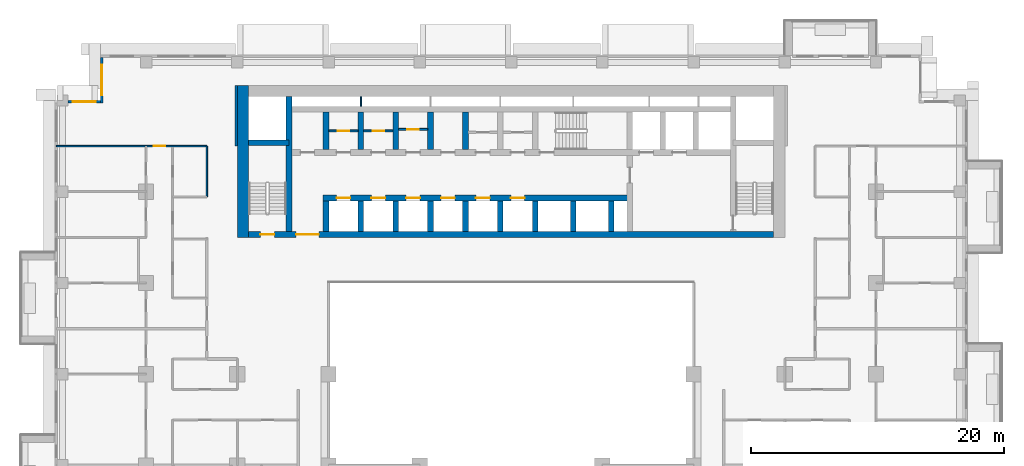
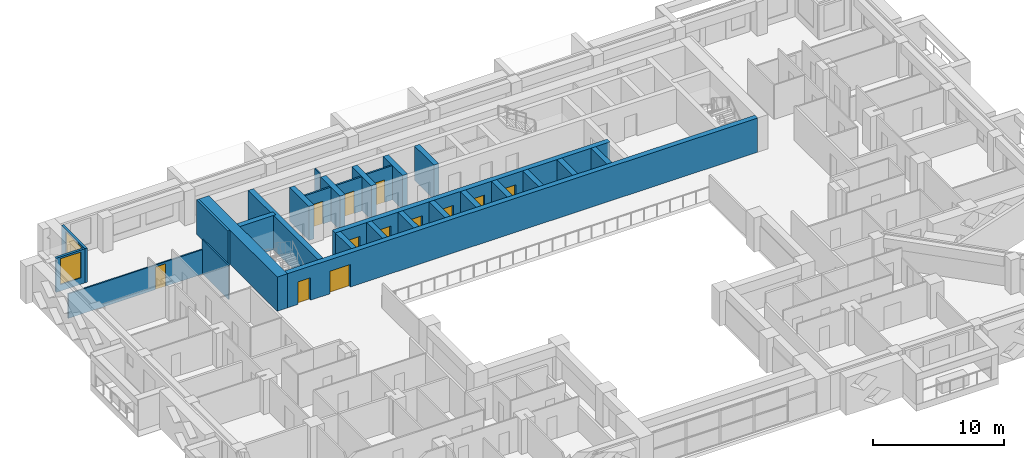
# One storey, part 10 of 17: 28 walls, 12 doors, 2 windows, 14 openings.
"""IFC4 building model written with IfcOpenShell, lengths in metres."""

from ifc_helpers import new_model, si_unit, direction, frame, frame_2d, origin, place, context, subcontext, project, spatial, rectangle, extrude, material, layer, layer_set, type_object, element, fill, save


model = new_model("IFC4")

# Units and contexts
model_context = context("Model", 3, precision=1e-05, world=origin(), true_north=direction((0.0, 1.0)))
body_context = subcontext(model_context, "Body", "Model", "MODEL_VIEW")
ifc_project = project(units=[si_unit("LENGTHUNIT", "METRE"), si_unit("AREAUNIT", "SQUARE_METRE"), si_unit("VOLUMEUNIT", "CUBIC_METRE"), si_unit("PLANEANGLEUNIT", "RADIAN"), si_unit("MASSUNIT", "GRAM", prefix="KILO")], contexts=[model_context])

# Site, building, storey
site_placement = place(None, origin())
site = spatial("IfcSite", under=ifc_project, at=site_placement, CompositionType="ELEMENT")
building_placement = place(site_placement, origin())
building = spatial("IfcBuilding", under=site, at=building_placement, Name="Saffron Iwan Residences", CompositionType="ELEMENT")
storey_placement = place(building_placement, frame((0.0, 0.0, 93.5)))
storey = spatial("IfcBuildingStorey", under=building, at=storey_placement, Name="L24", CompositionType="ELEMENT", Elevation=93.5)

# Wall, opening, door
ifc_material_1 = material(Name="Fire-rated plasterboard partition")
ifc_layer_1 = layer(ifc_material_1, 0.14990234375)
ifc_layer_set_1 = layer_set([ifc_layer_1], Name="Fire-rated plasterboard partition")
wall_type_1 = type_object("IfcWallType", Name="Core partition 150", PredefinedType="PARTITIONING", material=ifc_layer_set_1)
wall_1_placement = place(storey_placement, frame((36.02490234375, 74.39990234375, 0.0), z_axis=(0.0, 0.0, 1.0), x_axis=(1.0, 0.0, 0.0)))
wall_1 = element("IfcWall", 1, at=wall_1_placement, inside=storey, type_object=wall_type_1, Name="Core partition P01", PredefinedType="PARTITIONING", context=body_context, shape_type="SweptSolid", body=[
    extrude(rectangle(XDim=2.300048828125, YDim=0.14990234375, at=frame_2d((1.14990234375, 0.0))), origin(), (0.0, 0.0, 1.0), 3.179931640625),
])
opening_1_placement = place(wall_1_placement, frame((0.699951171875, 0.0, 0.0)))
opening_1 = element("IfcOpeningElement", 2, at=opening_1_placement, cuts=wall_1, Name="Opening SB", PredefinedType="OPENING", context=body_context, shape_type="SweptSolid", body=[
    extrude(rectangle(XDim=0.89990234375, YDim=2.10009765625, at=frame_2d((0.449951171875, 1.050048828125))), frame((0.0, 0.0849609375, 0.0), z_axis=(0.0, -1.0, 0.0), x_axis=(1.0, 0.0, 0.0)), (0.0, 0.0, 1.0), 0.169921875),
])
ifc_material_2 = material(Name="Steel fire door", Category="steel")
door_type_1 = type_object("IfcDoorType", Name="Store door 900", OperationType="NOTDEFINED", PredefinedType="DOOR", material=ifc_material_2)
door_1_placement = place(opening_1_placement, origin())
door_1 = element("IfcDoor", 3, at=door_1_placement, inside=storey, type_object=door_type_1, Name="Door Spares store", OperationType="SINGLE_SWING_LEFT", OverallHeight=2.10009765625, OverallWidth=0.89990234375, PredefinedType="DOOR", context=body_context, shape_type="SweptSolid", body=[
    extrude(rectangle(XDim=0.89990234375, YDim=2.10009765625, at=frame_2d((0.449951171875, 1.050048828125))), frame((0.0, 0.02490234375, 0.0), z_axis=(0.0, -1.0, 0.0), x_axis=(1.0, 0.0, 0.0)), (0.0, 0.0, 1.0), 0.050048828125),
])
fill(opening_1, door_1)

wall_2_placement = place(storey_placement, frame((38.77490234375, 74.39990234375, 0.0), z_axis=(0.0, 0.0, 1.0), x_axis=(1.0, 0.0, 0.0)))
wall_2 = element("IfcWall", 4, at=wall_2_placement, inside=storey, type_object=wall_type_1, Name="Core partition P02", PredefinedType="PARTITIONING", context=body_context, shape_type="SweptSolid", body=[
    extrude(rectangle(XDim=2.300048828125, YDim=0.14990234375, at=frame_2d((1.14990234375, 0.0))), origin(), (0.0, 0.0, 1.0), 3.179931640625),
])
opening_2_placement = place(wall_2_placement, frame((0.699951171875, 0.0, 0.0)))
opening_2 = element("IfcOpeningElement", 5, at=opening_2_placement, cuts=wall_2, Name="Opening SB", PredefinedType="OPENING", context=body_context, shape_type="SweptSolid", body=[
    extrude(rectangle(XDim=0.89990234375, YDim=2.10009765625, at=frame_2d((0.449951171875, 1.050048828125))), frame((0.0, 0.0849609375, 0.0), z_axis=(0.0, -1.0, 0.0), x_axis=(1.0, 0.0, 0.0)), (0.0, 0.0, 1.0), 0.169921875),
])
door_2_placement = place(opening_2_placement, origin())
door_2 = element("IfcDoor", 6, at=door_2_placement, inside=storey, type_object=door_type_1, Name="Door Battery room", OperationType="SINGLE_SWING_RIGHT", OverallHeight=2.10009765625, OverallWidth=0.89990234375, PredefinedType="DOOR", context=body_context, shape_type="SweptSolid", body=[
    extrude(rectangle(XDim=0.89990234375, YDim=2.10009765625, at=frame_2d((0.449951171875, 1.050048828125))), frame((0.0, 0.02490234375, 0.0), z_axis=(0.0, -1.0, 0.0), x_axis=(1.0, 0.0, 0.0)), (0.0, 0.0, 1.0), 0.050048828125),
])
fill(opening_2, door_2)

wall_3_placement = place(storey_placement, frame((41.52490234375, 74.51806640625, 0.0), z_axis=(0.0, 0.0, 1.0), x_axis=(1.0, 0.0, 0.0)))
wall_3 = element("IfcWall", 7, at=wall_3_placement, inside=storey, type_object=wall_type_1, Name="Core partition P03", PredefinedType="PARTITIONING", context=body_context, shape_type="SweptSolid", body=[
    extrude(rectangle(XDim=2.300048828125, YDim=0.14990234375, at=frame_2d((1.14990234375, 0.0))), origin(), (0.0, 0.0, 1.0), 3.179931640625),
])
opening_3_placement = place(wall_3_placement, frame((0.699951171875, 0.0, 0.0)))
opening_3 = element("IfcOpeningElement", 8, at=opening_3_placement, cuts=wall_3, Name="Opening SB", PredefinedType="OPENING", context=body_context, shape_type="SweptSolid", body=[
    extrude(rectangle(XDim=0.89990234375, YDim=2.10009765625, at=frame_2d((0.449951171875, 1.050048828125))), frame((0.0, 0.0849609375, 0.0), z_axis=(0.0, -1.0, 0.0), x_axis=(1.0, 0.0, 0.0)), (0.0, 0.0, 1.0), 0.169921875),
])
door_3_placement = place(opening_3_placement, origin())
door_3 = element("IfcDoor", 9, at=door_3_placement, inside=storey, type_object=door_type_1, Name="Door Records store", OperationType="SINGLE_SWING_RIGHT", OverallHeight=2.10009765625, OverallWidth=0.89990234375, PredefinedType="DOOR", context=body_context, shape_type="SweptSolid", body=[
    extrude(rectangle(XDim=0.89990234375, YDim=2.10009765625, at=frame_2d((0.449951171875, 1.050048828125))), frame((0.0, 0.02490234375, 0.0), z_axis=(0.0, -1.0, 0.0), x_axis=(1.0, 0.0, 0.0)), (0.0, 0.0, 1.0), 0.050048828125),
])
fill(opening_3, door_3)

# Wall, opening, window
ifc_material_3 = material(Name="Concrete C40/50", Category="concrete")
ifc_layer_2 = layer(ifc_material_3, 0.199951171875)
ifc_layer_set_2 = layer_set([ifc_layer_2], Name="Concrete C40/50")
wall_type_2 = type_object("IfcWallType", Name="EXTERNAL WALL 200", PredefinedType="SOLIDWALL", material=ifc_layer_set_2)
wall_4_placement = place(storey_placement, frame((18.10009765625, 80.199951171875, 0.0), z_axis=(0.0, 0.0, 1.0), x_axis=(0.0, -1.0, 0.0)))
wall_4 = element("IfcWall", 10, at=wall_4_placement, inside=storey, type_object=wall_type_2, Name="External wall L24 F6.0", PredefinedType="SOLIDWALL", context=body_context, shape_type="SweptSolid", body=[
    extrude(rectangle(XDim=3.599853515625, YDim=0.199951171875, at=frame_2d((1.7998046875, 0.0))), origin(), (0.0, 0.0, 1.0), 3.179931640625),
])
opening_4_placement = place(wall_4_placement, frame((0.60009765625, 0.0, 0.60009765625)))
opening_4 = element("IfcOpeningElement", 11, at=opening_4_placement, cuts=wall_4, Name="Opening W1", PredefinedType="OPENING", context=body_context, shape_type="SweptSolid", body=[
    extrude(rectangle(XDim=2.39990234375, YDim=2.39990234375, at=frame_2d((1.199951171875, 1.199951171875))), frame((0.0, 0.10986328125, 0.0), z_axis=(0.0, -1.0, 0.0), x_axis=(1.0, 0.0, 0.0)), (0.0, 0.0, 1.0), 0.219970703125),
])
ifc_material_4 = material(Name="Clear glass, laminated double glazed", Category="glass")
window_type_1 = type_object("IfcWindowType", Name="WINDOW 2400 x 2400", PartitioningType="DOUBLE_PANEL_VERTICAL", PredefinedType="WINDOW", material=ifc_material_4)
window_1_placement = place(opening_4_placement, origin())
window_1 = element("IfcWindow", 12, at=window_1_placement, inside=storey, type_object=window_type_1, Name="Window L24 F6.0", OverallHeight=2.39990234375, OverallWidth=2.39990234375, PartitioningType="DOUBLE_PANEL_VERTICAL", PredefinedType="WINDOW", context=body_context, shape_type="SweptSolid", body=[
    extrude(rectangle(XDim=2.39990234375, YDim=2.39990234375, at=frame_2d((1.199951171875, 1.199951171875))), frame((0.0, 0.030029296875, 0.0), z_axis=(0.0, -1.0, 0.0), x_axis=(1.0, 0.0, 0.0)), (0.0, 0.0, 1.0), 0.06005859375),
])
fill(opening_4, window_1)

wall_5_placement = place(storey_placement, frame((18.0, 76.699951171875, 0.0), z_axis=(0.0, 0.0, 1.0), x_axis=(-1.0, 0.0, 0.0)))
wall_5 = element("IfcWall", 13, at=wall_5_placement, inside=storey, type_object=wall_type_2, Name="External wall L24 F7.0", PredefinedType="SOLIDWALL", context=body_context, shape_type="SweptSolid", body=[
    extrude(rectangle(XDim=2.550048828125, YDim=0.199951171875, at=frame_2d((1.27490234375, 0.0))), origin(), (0.0, 0.0, 1.0), 3.179931640625),
])
opening_5_placement = place(wall_5_placement, frame((0.375, 0.0, 0.60009765625)))
opening_5 = element("IfcOpeningElement", 14, at=opening_5_placement, cuts=wall_5, Name="Opening W8", PredefinedType="OPENING", context=body_context, shape_type="SweptSolid", body=[
    extrude(rectangle(XDim=1.800048828125, YDim=2.39990234375, at=frame_2d((0.89990234375, 1.199951171875))), frame((0.0, 0.10986328125, 0.0), z_axis=(0.0, -1.0, 0.0), x_axis=(1.0, 0.0, 0.0)), (0.0, 0.0, 1.0), 0.219970703125),
])
window_type_2 = type_object("IfcWindowType", Name="WINDOW 1800 x 2400", PartitioningType="DOUBLE_PANEL_VERTICAL", PredefinedType="WINDOW", material=ifc_material_4)
window_2_placement = place(opening_5_placement, origin())
window_2 = element("IfcWindow", 15, at=window_2_placement, inside=storey, type_object=window_type_2, Name="Window L24 F7.0", OverallHeight=2.39990234375, OverallWidth=1.800048828125, PartitioningType="DOUBLE_PANEL_VERTICAL", PredefinedType="WINDOW", context=body_context, shape_type="SweptSolid", body=[
    extrude(rectangle(XDim=1.800048828125, YDim=2.39990234375, at=frame_2d((0.89990234375, 1.199951171875))), frame((0.0, 0.030029296875, 0.0), z_axis=(0.0, -1.0, 0.0), x_axis=(1.0, 0.0, 0.0)), (0.0, 0.0, 1.0), 0.06005859375),
])
fill(opening_5, window_2)

# Wall, opening, door
ifc_material_5 = material(Name="Gypsum board partition")
ifc_layer_3 = layer(ifc_material_5, 0.1201171875)
ifc_layer_set_3 = layer_set([ifc_layer_3], Name="Gypsum board partition")
wall_type_3 = type_object("IfcWallType", Name="Flat partition 120", PredefinedType="PARTITIONING", material=ifc_layer_set_3)
wall_6_placement = place(storey_placement, frame((14.52490234375, 73.199951171875, 0.0), z_axis=(0.0, 0.0, 1.0), x_axis=(1.0, 0.0, 0.0)))
wall_6 = element("IfcWall", 16, at=wall_6_placement, inside=storey, type_object=wall_type_3, Name="W-L24-PART-h73.2-14.525", PredefinedType="PARTITIONING", context=body_context, shape_type="SweptSolid", body=[
    extrude(rectangle(XDim=11.875, YDim=0.1201171875, at=frame_2d((5.9375, 0.0))), origin(), (0.0, 0.0, 1.0), 2.280029296875),
])
opening_6_placement = place(wall_6_placement, frame((7.675048828125, 0.0, 0.0)))
opening_6 = element("IfcOpeningElement", 17, at=opening_6_placement, cuts=wall_6, Name="Opening FD2", PredefinedType="OPENING", context=body_context, shape_type="SweptSolid", body=[
    extrude(rectangle(XDim=0.89990234375, YDim=2.10009765625, at=frame_2d((0.449951171875, 1.050048828125))), frame((0.0, 0.070068359375, 0.0), z_axis=(0.0, -1.0, 0.0), x_axis=(1.0, 0.0, 0.0)), (0.0, 0.0, 1.0), 0.14013671875),
])
ifc_material_6 = material(Name="Timber door", Category="wood")
door_type_2 = type_object("IfcDoorType", Name="Flat door 900", OperationType="NOTDEFINED", PredefinedType="DOOR", material=ifc_material_6)
door_4_placement = place(opening_6_placement, origin())
door_4 = element("IfcDoor", 18, at=door_4_placement, inside=storey, type_object=door_type_2, Name="Door L24-031", OperationType="SINGLE_SWING_RIGHT", OverallHeight=2.10009765625, OverallWidth=0.89990234375, PredefinedType="DOOR", context=body_context, shape_type="SweptSolid", body=[
    extrude(rectangle(XDim=0.89990234375, YDim=2.10009765625, at=frame_2d((0.449951171875, 1.050048828125))), frame((0.0, 0.02490234375, 0.0), z_axis=(0.0, -1.0, 0.0), x_axis=(1.0, 0.0, 0.0)), (0.0, 0.0, 1.0), 0.050048828125),
])
fill(opening_6, door_4)

# Walls
wall_7_placement = place(storey_placement, frame((26.39990234375, 69.199951171875, 0.0), z_axis=(0.0, 0.0, 1.0), x_axis=(0.0, 1.0, 0.0)))
element("IfcWall", 19, at=wall_7_placement, inside=storey, type_object=wall_type_3, Name="W-L24-PART-v26.4-69.2", PredefinedType="PARTITIONING", context=body_context, shape_type="SweptSolid", body=[
    extrude(rectangle(XDim=4.0, YDim=0.1201171875, at=frame_2d((2.0, 0.0))), origin(), (0.0, 0.0, 1.0), 3.179931640625),
])
ifc_material_7 = material(Name="Fire-rated gypsum board wall")
ifc_layer_4 = layer(ifc_material_7, 0.199951171875)
ifc_layer_set_4 = layer_set([ifc_layer_4], Name="Fire-rated gypsum board wall")
wall_type_4 = type_object("IfcWallType", Name="Gallery wall 200", PredefinedType="SOLIDWALL", material=ifc_layer_set_4)
wall_8_placement = place(storey_placement, frame((28.699951171875, 73.199951171875, 0.0), z_axis=(0.0, 0.0, 1.0), x_axis=(0.0, 1.0, 0.0)))
element("IfcWall", 20, at=wall_8_placement, inside=storey, type_object=wall_type_4, Name="W-L24-CORR-v28.8-73.2", PredefinedType="SOLIDWALL", context=body_context, shape_type="SweptSolid", body=[
    extrude(rectangle(XDim=4.800048828125, YDim=0.199951171875, at=frame_2d((2.39990234375, 0.0))), origin(), (0.0, 0.0, 1.0), 3.179931640625),
])
ifc_layer_5 = layer(ifc_material_1, 0.10009765625)
ifc_layer_set_5 = layer_set([ifc_layer_5], Name="Fire-rated plasterboard partition")
wall_type_5 = type_object("IfcWallType", Name="Riser partition 100", PredefinedType="PARTITIONING", material=ifc_layer_set_5)
wall_9_placement = place(storey_placement, frame((38.550048828125, 76.324951171875, 0.0), z_axis=(0.0, 0.0, 1.0), x_axis=(0.0, 1.0, 0.0)))
element("IfcWall", 21, at=wall_9_placement, inside=storey, type_object=wall_type_5, Name="Core partition P06", PredefinedType="PARTITIONING", context=body_context, shape_type="SweptSolid", body=[
    extrude(rectangle(XDim=0.775146484375, YDim=0.10009765625, at=frame_2d((0.3876953125, 0.0))), origin(), (0.0, 0.0, 1.0), 3.179931640625),
])

# Wall, openings, doors
ifc_material_8 = material(Name="Concrete C60/75", Category="concrete")
ifc_layer_6 = layer(ifc_material_8, 0.449951171875)
ifc_layer_set_6 = layer_set([ifc_layer_6], Name="Concrete C60/75")
wall_type_6 = type_object("IfcWallType", Name="WALL CORE 450 C60/75 3180 HIGH", PredefinedType="SHEAR", material=ifc_layer_set_6)
wall_10_placement = place(storey_placement, frame((29.699951171875, 66.22509765625, 0.0), z_axis=(0.0, 0.0, 1.0), x_axis=(1.0, 0.0, 0.0)))
wall_10 = element("IfcWall", 22, at=wall_10_placement, inside=storey, type_object=wall_type_6, Name="Core wall", PredefinedType="SHEAR", context=body_context, shape_type="SweptSolid", body=[
    extrude(rectangle(XDim=41.400146484375, YDim=0.449951171875, at=frame_2d((20.7001953125, 0.0))), origin(), (0.0, 0.0, 1.0), 3.179931640625),
])
opening_7_placement = place(wall_10_placement, frame((0.925048828125, 0.0, 0.0)))
opening_7 = element("IfcOpeningElement", 23, at=opening_7_placement, cuts=wall_10, Name="Opening SD", PredefinedType="OPENING", context=body_context, shape_type="SweptSolid", body=[
    extrude(rectangle(XDim=1.10009765625, YDim=2.10009765625, at=frame_2d((0.550048828125, 1.050048828125))), frame((0.0, 0.23486328125, 0.0), z_axis=(0.0, -1.0, 0.0), x_axis=(1.0, 0.0, 0.0)), (0.0, 0.0, 1.0), 0.469970703125),
])
opening_8_placement = place(wall_10_placement, frame((3.737548828125, 0.0, 0.0)))
opening_8 = element("IfcOpeningElement", 24, at=opening_8_placement, cuts=wall_10, Name="Opening DD", PredefinedType="OPENING", context=body_context, shape_type="SweptSolid", body=[
    extrude(rectangle(XDim=1.800048828125, YDim=2.10009765625, at=frame_2d((0.89990234375, 1.050048828125))), frame((0.0, 0.23486328125, 0.0), z_axis=(0.0, -1.0, 0.0), x_axis=(1.0, 0.0, 0.0)), (0.0, 0.0, 1.0), 0.469970703125),
])
door_type_3 = type_object("IfcDoorType", Name="Lobby double door 1800", OperationType="DOUBLE_DOOR_SINGLE_SWING", PredefinedType="DOOR", material=ifc_material_2)
door_5_placement = place(opening_8_placement, origin())
door_5 = element("IfcDoor", 25, at=door_5_placement, inside=storey, type_object=door_type_3, Name="Lobby doors", OperationType="DOUBLE_DOOR_SINGLE_SWING", OverallHeight=2.10009765625, OverallWidth=1.800048828125, PredefinedType="DOOR", context=body_context, shape_type="SweptSolid", body=[
    extrude(rectangle(XDim=1.800048828125, YDim=2.10009765625, at=frame_2d((0.89990234375, 1.050048828125))), frame((0.0, 0.02490234375, 0.0), z_axis=(0.0, -1.0, 0.0), x_axis=(1.0, 0.0, 0.0)), (0.0, 0.0, 1.0), 0.050048828125),
])
fill(opening_8, door_5)
door_type_4 = type_object("IfcDoorType", Name="Stair door 1100", OperationType="NOTDEFINED", PredefinedType="DOOR", material=ifc_material_2)
door_6_placement = place(opening_7_placement, origin())
door_6 = element("IfcDoor", 26, at=door_6_placement, inside=storey, type_object=door_type_4, Name="Stair door ST-W", OperationType="SINGLE_SWING_LEFT", OverallHeight=2.10009765625, OverallWidth=1.10009765625, PredefinedType="DOOR", context=body_context, shape_type="SweptSolid", body=[
    extrude(rectangle(XDim=1.10009765625, YDim=2.10009765625, at=frame_2d((0.550048828125, 1.050048828125))), frame((0.0, 0.02490234375, 0.0), z_axis=(0.0, -1.0, 0.0), x_axis=(1.0, 0.0, 0.0)), (0.0, 0.0, 1.0), 0.050048828125),
])
fill(opening_7, door_6)

wall_11_placement = place(storey_placement, frame((35.574951171875, 69.10009765625, 0.0), z_axis=(0.0, 0.0, 1.0), x_axis=(1.0, 0.0, 0.0)))
wall_11 = element("IfcWall", 27, at=wall_11_placement, inside=storey, type_object=wall_type_6, Name="Core wall", PredefinedType="SHEAR", context=body_context, shape_type="SweptSolid", body=[
    extrude(rectangle(XDim=24.199951171875, YDim=0.449951171875, at=frame_2d((12.10009765625, 0.0))), origin(), (0.0, 0.0, 1.0), 3.179931640625),
])
opening_9_placement = place(wall_11_placement, frame((1.050048828125, 0.0, 0.0)))
opening_9 = element("IfcOpeningElement", 28, at=opening_9_placement, cuts=wall_11, Name="Opening LD", PredefinedType="OPENING", context=body_context, shape_type="SweptSolid", body=[
    extrude(rectangle(XDim=1.10009765625, YDim=2.10009765625, at=frame_2d((0.550048828125, 1.050048828125))), frame((0.0, 0.23486328125, 0.0), z_axis=(0.0, -1.0, 0.0), x_axis=(1.0, 0.0, 0.0)), (0.0, 0.0, 1.0), 0.469970703125),
])
opening_10_placement = place(wall_11_placement, frame((3.800048828125, 0.0, 0.0)))
opening_10 = element("IfcOpeningElement", 29, at=opening_10_placement, cuts=wall_11, Name="Opening LD", PredefinedType="OPENING", context=body_context, shape_type="SweptSolid", body=[
    extrude(rectangle(XDim=1.10009765625, YDim=2.10009765625, at=frame_2d((0.550048828125, 1.050048828125))), frame((0.0, 0.23486328125, 0.0), z_axis=(0.0, -1.0, 0.0), x_axis=(1.0, 0.0, 0.0)), (0.0, 0.0, 1.0), 0.469970703125),
])
opening_11_placement = place(wall_11_placement, frame((6.550048828125, 0.0, 0.0)))
opening_11 = element("IfcOpeningElement", 30, at=opening_11_placement, cuts=wall_11, Name="Opening LD", PredefinedType="OPENING", context=body_context, shape_type="SweptSolid", body=[
    extrude(rectangle(XDim=1.10009765625, YDim=2.10009765625, at=frame_2d((0.550048828125, 1.050048828125))), frame((0.0, 0.23486328125, 0.0), z_axis=(0.0, -1.0, 0.0), x_axis=(1.0, 0.0, 0.0)), (0.0, 0.0, 1.0), 0.469970703125),
])
opening_12_placement = place(wall_11_placement, frame((9.300048828125, 0.0, 0.0)))
opening_12 = element("IfcOpeningElement", 31, at=opening_12_placement, cuts=wall_11, Name="Opening LD", PredefinedType="OPENING", context=body_context, shape_type="SweptSolid", body=[
    extrude(rectangle(XDim=1.10009765625, YDim=2.10009765625, at=frame_2d((0.550048828125, 1.050048828125))), frame((0.0, 0.23486328125, 0.0), z_axis=(0.0, -1.0, 0.0), x_axis=(1.0, 0.0, 0.0)), (0.0, 0.0, 1.0), 0.469970703125),
])
opening_13_placement = place(wall_11_placement, frame((12.050048828125, 0.0, 0.0)))
opening_13 = element("IfcOpeningElement", 32, at=opening_13_placement, cuts=wall_11, Name="Opening LD", PredefinedType="OPENING", context=body_context, shape_type="SweptSolid", body=[
    extrude(rectangle(XDim=1.10009765625, YDim=2.10009765625, at=frame_2d((0.550048828125, 1.050048828125))), frame((0.0, 0.23486328125, 0.0), z_axis=(0.0, -1.0, 0.0), x_axis=(1.0, 0.0, 0.0)), (0.0, 0.0, 1.0), 0.469970703125),
])
opening_14_placement = place(wall_11_placement, frame((14.800048828125, 0.0, 0.0)))
opening_14 = element("IfcOpeningElement", 33, at=opening_14_placement, cuts=wall_11, Name="Opening LD", PredefinedType="OPENING", context=body_context, shape_type="SweptSolid", body=[
    extrude(rectangle(XDim=1.10009765625, YDim=2.10009765625, at=frame_2d((0.550048828125, 1.050048828125))), frame((0.0, 0.23486328125, 0.0), z_axis=(0.0, -1.0, 0.0), x_axis=(1.0, 0.0, 0.0)), (0.0, 0.0, 1.0), 0.469970703125),
])
door_type_5 = type_object("IfcDoorType", Name="Lift landing door 1100", OperationType="SLIDING_TO_LEFT", PredefinedType="DOOR", material=ifc_material_2)
door_7_placement = place(opening_9_placement, origin())
door_7 = element("IfcDoor", 34, at=door_7_placement, inside=storey, type_object=door_type_5, Name="Landing doors LR1", OperationType="SLIDING_TO_LEFT", OverallHeight=2.10009765625, OverallWidth=1.10009765625, PredefinedType="DOOR", context=body_context, shape_type="SweptSolid", body=[
    extrude(rectangle(XDim=1.10009765625, YDim=2.10009765625, at=frame_2d((0.550048828125, 1.050048828125))), frame((0.0, 0.02490234375, 0.0), z_axis=(0.0, -1.0, 0.0), x_axis=(1.0, 0.0, 0.0)), (0.0, 0.0, 1.0), 0.050048828125),
])
fill(opening_9, door_7)
door_8_placement = place(opening_10_placement, origin())
door_8 = element("IfcDoor", 35, at=door_8_placement, inside=storey, type_object=door_type_5, Name="Landing doors LR2", OperationType="SLIDING_TO_LEFT", OverallHeight=2.10009765625, OverallWidth=1.10009765625, PredefinedType="DOOR", context=body_context, shape_type="SweptSolid", body=[
    extrude(rectangle(XDim=1.10009765625, YDim=2.10009765625, at=frame_2d((0.550048828125, 1.050048828125))), frame((0.0, 0.02490234375, 0.0), z_axis=(0.0, -1.0, 0.0), x_axis=(1.0, 0.0, 0.0)), (0.0, 0.0, 1.0), 0.050048828125),
])
fill(opening_10, door_8)
door_9_placement = place(opening_11_placement, origin())
door_9 = element("IfcDoor", 36, at=door_9_placement, inside=storey, type_object=door_type_5, Name="Landing doors LR3", OperationType="SLIDING_TO_LEFT", OverallHeight=2.10009765625, OverallWidth=1.10009765625, PredefinedType="DOOR", context=body_context, shape_type="SweptSolid", body=[
    extrude(rectangle(XDim=1.10009765625, YDim=2.10009765625, at=frame_2d((0.550048828125, 1.050048828125))), frame((0.0, 0.02490234375, 0.0), z_axis=(0.0, -1.0, 0.0), x_axis=(1.0, 0.0, 0.0)), (0.0, 0.0, 1.0), 0.050048828125),
])
fill(opening_11, door_9)
door_10_placement = place(opening_12_placement, origin())
door_10 = element("IfcDoor", 37, at=door_10_placement, inside=storey, type_object=door_type_5, Name="Landing doors LR4", OperationType="SLIDING_TO_LEFT", OverallHeight=2.10009765625, OverallWidth=1.10009765625, PredefinedType="DOOR", context=body_context, shape_type="SweptSolid", body=[
    extrude(rectangle(XDim=1.10009765625, YDim=2.10009765625, at=frame_2d((0.550048828125, 1.050048828125))), frame((0.0, 0.02490234375, 0.0), z_axis=(0.0, -1.0, 0.0), x_axis=(1.0, 0.0, 0.0)), (0.0, 0.0, 1.0), 0.050048828125),
])
fill(opening_12, door_10)
door_11_placement = place(opening_13_placement, origin())
door_11 = element("IfcDoor", 38, at=door_11_placement, inside=storey, type_object=door_type_5, Name="Landing doors LR5", OperationType="SLIDING_TO_LEFT", OverallHeight=2.10009765625, OverallWidth=1.10009765625, PredefinedType="DOOR", context=body_context, shape_type="SweptSolid", body=[
    extrude(rectangle(XDim=1.10009765625, YDim=2.10009765625, at=frame_2d((0.550048828125, 1.050048828125))), frame((0.0, 0.02490234375, 0.0), z_axis=(0.0, -1.0, 0.0), x_axis=(1.0, 0.0, 0.0)), (0.0, 0.0, 1.0), 0.050048828125),
])
fill(opening_13, door_11)
door_12_placement = place(opening_14_placement, origin())
door_12 = element("IfcDoor", 39, at=door_12_placement, inside=storey, type_object=door_type_5, Name="Landing doors LR6", OperationType="SLIDING_TO_LEFT", OverallHeight=2.10009765625, OverallWidth=1.10009765625, PredefinedType="DOOR", context=body_context, shape_type="SweptSolid", body=[
    extrude(rectangle(XDim=1.10009765625, YDim=2.10009765625, at=frame_2d((0.550048828125, 1.050048828125))), frame((0.0, 0.02490234375, 0.0), z_axis=(0.0, -1.0, 0.0), x_axis=(1.0, 0.0, 0.0)), (0.0, 0.0, 1.0), 0.050048828125),
])
fill(opening_14, door_12)

# Walls
wall_12_placement = place(storey_placement, frame((29.699951171875, 73.47509765625, 0.0), z_axis=(0.0, 0.0, 1.0), x_axis=(1.0, 0.0, 0.0)))
element("IfcWall", 40, at=wall_12_placement, inside=storey, type_object=wall_type_6, Name="Core wall", PredefinedType="SHEAR", context=body_context, shape_type="SweptSolid", body=[
    extrude(rectangle(XDim=3.175048828125, YDim=0.449951171875, at=frame_2d((1.58740234375, 0.0))), origin(), (0.0, 0.0, 1.0), 3.179931640625),
])
wall_13_placement = place(storey_placement, frame((32.875, 66.449951171875, 0.0), z_axis=(0.0, 0.0, 1.0), x_axis=(0.0, 1.0, 0.0)))
element("IfcWall", 41, at=wall_13_placement, inside=storey, type_object=wall_type_6, Name="Core wall", PredefinedType="SHEAR", context=body_context, shape_type="SweptSolid", body=[
    extrude(rectangle(XDim=10.650146484375, YDim=0.449951171875, at=frame_2d((5.3251953125, 0.0))), origin(), (0.0, 0.0, 1.0), 3.179931640625),
])
for number, where, z_axis, x_axis, name in (
    (42, (35.800048828125, 66.449951171875, 0.0), (0.0, 0.0, 1.0), (0.0, 1.0, 0.0), "Core wall"),
    (43, (38.550048828125, 66.449951171875, 0.0), (0.0, 0.0, 1.0), (0.0, 1.0, 0.0), "Core wall"),
    (44, (41.300048828125, 66.449951171875, 0.0), (0.0, 0.0, 1.0), (0.0, 1.0, 0.0), "Core wall"),
    (45, (44.050048828125, 66.449951171875, 0.0), (0.0, 0.0, 1.0), (0.0, 1.0, 0.0), "Core wall"),
    (46, (46.800048828125, 66.449951171875, 0.0), (0.0, 0.0, 1.0), (0.0, 1.0, 0.0), "Core wall"),
    (47, (49.550048828125, 66.449951171875, 0.0), (0.0, 0.0, 1.0), (0.0, 1.0, 0.0), "Core wall"),
    (48, (52.300048828125, 66.449951171875, 0.0), (0.0, 0.0, 1.0), (0.0, 1.0, 0.0), "Core wall"),
    (49, (55.300048828125, 66.449951171875, 0.0), (0.0, 0.0, 1.0), (0.0, 1.0, 0.0), "Core wall"),
    (50, (58.300048828125, 66.449951171875, 0.0), (0.0, 0.0, 1.0), (0.0, 1.0, 0.0), "Core wall"),
):
    element("IfcWall", number, at=place(storey_placement, frame(where, z_axis=z_axis, x_axis=x_axis)), inside=storey, type_object=wall_type_6, Name=name, PredefinedType="SHEAR", context=body_context, shape_type="SweptSolid", body=[
        extrude(rectangle(XDim=2.425048828125, YDim=0.449951171875, at=frame_2d((1.21240234375, 0.0))), origin(), (0.0, 0.0, 1.0), 3.179931640625),
    ])
for number, where, z_axis, x_axis, name in (
    (51, (35.800048828125, 72.925048828125, 0.0), (0.0, 0.0, 1.0), (0.0, 1.0, 0.0), "Core wall"),
    (52, (38.550048828125, 72.925048828125, 0.0), (0.0, 0.0, 1.0), (0.0, 1.0, 0.0), "Core wall"),
    (53, (41.300048828125, 72.925048828125, 0.0), (0.0, 0.0, 1.0), (0.0, 1.0, 0.0), "Core wall"),
    (54, (44.050048828125, 72.925048828125, 0.0), (0.0, 0.0, 1.0), (0.0, 1.0, 0.0), "Core wall"),
    (55, (46.800048828125, 72.925048828125, 0.0), (0.0, 0.0, 1.0), (0.0, 1.0, 0.0), "Core wall"),
):
    element("IfcWall", number, at=place(storey_placement, frame(where, z_axis=z_axis, x_axis=x_axis)), inside=storey, type_object=wall_type_6, Name=name, PredefinedType="SHEAR", context=body_context, shape_type="SweptSolid", body=[
        extrude(rectangle(XDim=2.949951171875, YDim=0.449951171875, at=frame_2d((1.47509765625, 0.0))), origin(), (0.0, 0.0, 1.0), 3.179931640625),
    ])
ifc_layer_7 = layer(ifc_material_8, 0.89990234375)
ifc_layer_set_7 = layer_set([ifc_layer_7], Name="Concrete C60/75")
wall_type_7 = type_object("IfcWallType", Name="WALL CORE 900 C60/75 3180 HIGH", PredefinedType="SHEAR", material=ifc_layer_set_7)
wall_14_placement = place(storey_placement, frame((29.25, 66.0, 0.0), z_axis=(0.0, 0.0, 1.0), x_axis=(0.0, 1.0, 0.0)))
element("IfcWall", 56, at=wall_14_placement, inside=storey, type_object=wall_type_7, Name="Core wall", PredefinedType="SHEAR", context=body_context, shape_type="SweptSolid", body=[
    extrude(rectangle(XDim=12.0, YDim=0.89990234375, at=frame_2d((6.0, 0.0))), origin(), (0.0, 0.0, 1.0), 3.179931640625),
])

save(model, "model.ifc")
